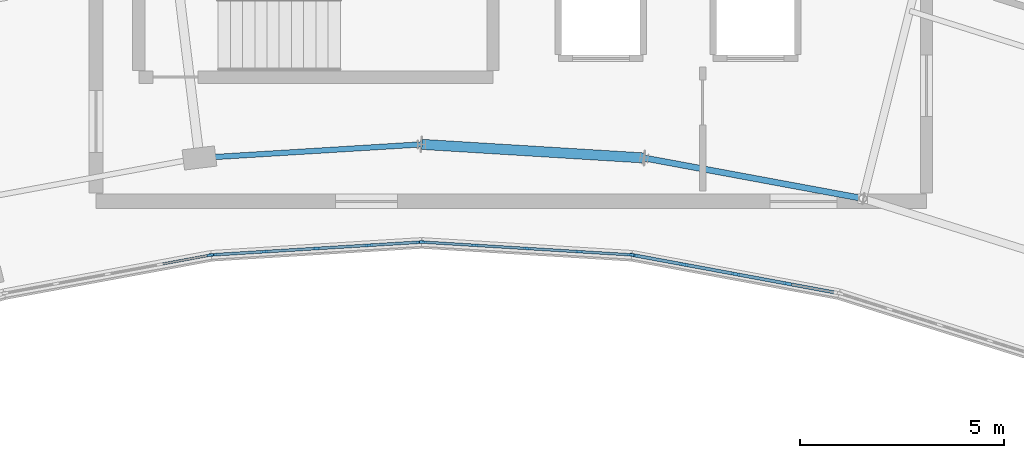
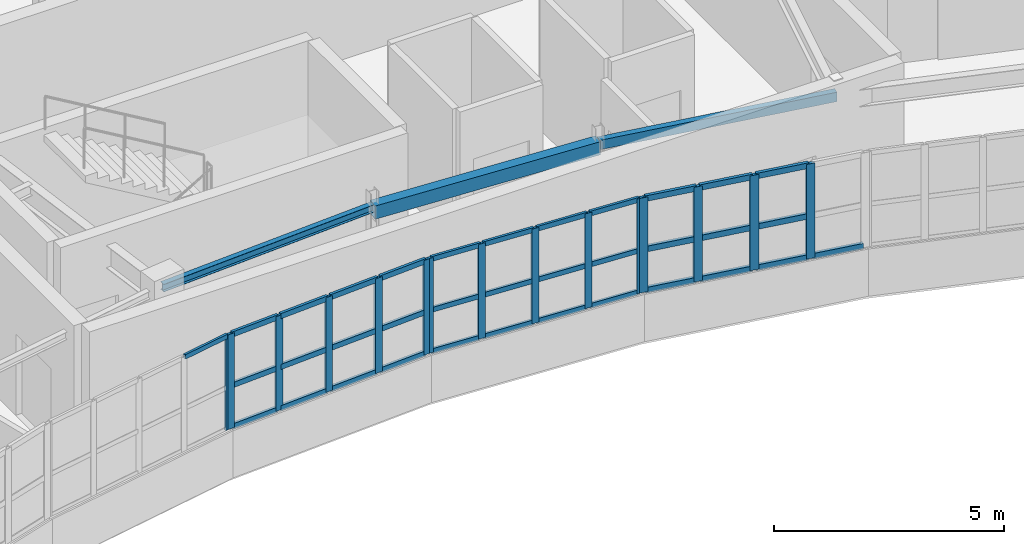
# One storey, part 29 of 65: 50 members, 3 beams, 4 elements without a shape of their own.
"""IFC4 building model written with IfcOpenShell, lengths in metres."""

from ifc_helpers import new_model, si_unit, direction, frame, origin, origin_2d, place, context, subcontext, project, spatial, rectangle, hollow_rectangle, i_section, extrude, material, layer, layer_set, material_profile, profile_set, type_object, element, aggregate, save


model = new_model("IFC4")

# Units and contexts
model_context = context("Model", 3, precision=1e-05, world=origin(), true_north=direction((0.0, 1.0)))
body_context = subcontext(model_context, "Body", "Model", "MODEL_VIEW")
ifc_project = project(units=[si_unit("LENGTHUNIT", "METRE"), si_unit("AREAUNIT", "SQUARE_METRE"), si_unit("VOLUMEUNIT", "CUBIC_METRE"), si_unit("PLANEANGLEUNIT", "RADIAN"), si_unit("MASSUNIT", "GRAM", prefix="KILO")], contexts=[model_context])

# Site, building, storey
site_placement = place(None, origin())
site = spatial("IfcSite", under=ifc_project, at=site_placement, CompositionType="ELEMENT")
building_placement = place(site_placement, origin())
building = spatial("IfcBuilding", under=site, at=building_placement, Name="Tarnwether General Hospital", CompositionType="ELEMENT")
storey_placement = place(building_placement, frame((0.0, 0.0, 22.199951171875)))
storey = spatial("IfcBuildingStorey", under=building, at=storey_placement, Name="L05", CompositionType="ELEMENT", Elevation=22.199951171875)

# Beams
ifc_material_1 = material(Name="Steel Grade 350 (350 MPa)", Category="steel")
ifc_material_profile_1 = material_profile(ifc_material_1, i_section(OverallWidth=0.133056640625, OverallDepth=0.201904296875, WebThickness=0.0048828125, FlangeThickness=0.007080078125, at=origin_2d()), Name="200UB22.3")
ifc_profile_set_1 = profile_set([ifc_material_profile_1], Name="Steel Grade 350 (350 MPa)")
beam_type_1 = type_object("IfcBeamType", Name="BM-SP6", PredefinedType="SPANDREL", material=ifc_profile_set_1)
beam_1_placement = place(storey_placement, frame((86.5400390625, 107.466064453125, 3.458984375), z_axis=(0.998134365538, 0.061055616708, 0.0), x_axis=(-0.061055616708, 0.998134365538, 0.0)))
element("IfcBeam", 1, at=beam_1_placement, inside=storey, type_object=beam_type_1, Name="Curved Ward NW Inner Spandrel BMG-L05-8654_10747-9200_10780-2000", PredefinedType="SPANDREL", context=body_context, shape_type="SweptSolid", body=[
    extrude(i_section(OverallWidth=0.133056640625, OverallDepth=0.201904296875, WebThickness=0.0048828125, FlangeThickness=0.007080078125, at=origin_2d()), origin(), (0.0, 0.0, 1.0), 5.47021484375),
])
ifc_material_2 = material(Name="Steel Grade C350L0 (350 MPa)", Category="steel")
ifc_material_profile_2 = material_profile(ifc_material_2, hollow_rectangle(XDim=0.25, YDim=0.35009765625, WallThickness=0.012451171875, at=origin_2d()), Name="RHS350x250x12.5")
ifc_profile_set_2 = profile_set([ifc_material_profile_2], Name="Steel Grade C350L0 (350 MPa)")
beam_type_2 = type_object("IfcBeamType", Name="BM-SP7", PredefinedType="SPANDREL", material=ifc_profile_set_2)
beam_2_placement = place(storey_placement, frame((92.0, 107.800048828125, 3.385009765625), z_axis=(0.998134365538, -0.061055616708, 0.0), x_axis=(0.061055616708, 0.998134365538, 0.0)))
element("IfcBeam", 2, at=beam_2_placement, inside=storey, type_object=beam_type_2, Name="Curved Ward NW Inner Spandrel BMG-L05-9200_10780-9746_10747-2002", PredefinedType="SPANDREL", context=body_context, shape_type="SweptSolid", body=[
    extrude(hollow_rectangle(XDim=0.25, YDim=0.35009765625, WallThickness=0.012451171875, at=origin_2d()), origin(), (0.0, 0.0, 1.0), 5.47021484375),
])
ifc_material_3 = material(Name="Steel Grade C350L0 (350 MPa)", Category="steel")
ifc_material_profile_3 = material_profile(ifc_material_3, hollow_rectangle(XDim=0.14990234375, YDim=0.25, WallThickness=0.008056640625, at=origin_2d()), Name="RHS250x150x8")
ifc_profile_set_3 = profile_set([ifc_material_profile_3], Name="Steel Grade C350L0 (350 MPa)")
beam_type_3 = type_object("IfcBeamType", Name="BM-SP8", PredefinedType="SPANDREL", material=ifc_profile_set_3)
beam_3_placement = place(storey_placement, frame((97.4599609375, 107.466064453125, 3.43505859375), z_axis=(0.983244096291, -0.18229384825, 0.0), x_axis=(0.18229384825, 0.983244096291, 0.0)))
element("IfcBeam", 3, at=beam_3_placement, inside=storey, type_object=beam_type_3, Name="Curved Ward NW Inner Spandrel BMG-L05-9746_10747-10284_10647-2004", PredefinedType="SPANDREL", context=body_context, shape_type="SweptSolid", body=[
    extrude(hollow_rectangle(XDim=0.14990234375, YDim=0.25, WallThickness=0.008056640625, at=origin_2d()), origin(), (0.0, 0.0, 1.0), 5.469482421875),
])

# Curtain wall, member
ifc_material_4 = material(Name="Anodised aluminium", Category="aluminium")
ifc_layer = layer(ifc_material_4, 0.159912109375)
ifc_layer_set = layer_set([ifc_layer], Name="Anodised aluminium")
curtain_wall_type = type_object("IfcCurtainWallType", Name="CW-03", PredefinedType="NOTDEFINED", material=ifc_layer_set)
curtain_wall_1_placement = place(storey_placement, origin())
curtain_wall_1 = element("IfcCurtainWall", 4, at=curtain_wall_1_placement, inside=storey, type_object=curtain_wall_type, Name="Curtain Wall CWG-L05-868_1051-0073", PredefinedType="NOTDEFINED")
ifc_material_5 = material(Name="Anodised aluminium", Category="aluminium")
ifc_material_profile_4 = material_profile(ifc_material_5, rectangle(XDim=0.06005859375, YDim=0.159912109375, at=origin_2d()), Name="ALU-MUL-60x160")
ifc_profile_set_4 = profile_set([ifc_material_profile_4], Name="Anodised aluminium")
member_type_1 = type_object("IfcMemberType", Name="CW-ML1", PredefinedType="MULLION", material=ifc_profile_set_4)
member_1_placement = place(storey_placement, frame((86.803466796875, 105.07861328125, 1.050048828125), z_axis=(0.0, 0.0, 1.0), x_axis=(0.182165351666, -0.983267910924, 0.0)))
member_1 = element("IfcMember", 5, at=member_1_placement, type_object=member_type_1, Name="CW-03 mullion 1", PredefinedType="MULLION", context=body_context, shape_type="SweptSolid", body=[
    extrude(rectangle(XDim=0.06005859375, YDim=0.159912109375, at=origin_2d()), origin(), (0.0, 0.0, 1.0), 2.510009765625),
])

# Curtain wall, members
curtain_wall_2_placement = place(storey_placement, origin())
curtain_wall_2 = element("IfcCurtainWall", 6, at=curtain_wall_2_placement, inside=storey, type_object=curtain_wall_type, Name="Curtain Wall CWG-L05-920_1054-0074", PredefinedType="NOTDEFINED")
ifc_material_6 = material(Name="Anodised aluminium", Category="aluminium")
ifc_material_profile_5 = material_profile(ifc_material_6, rectangle(XDim=0.070068359375, YDim=0.179931640625, at=origin_2d()), Name="ALU-MUL-70x180")
ifc_profile_set_5 = profile_set([ifc_material_profile_5], Name="Anodised aluminium")
member_type_2 = type_object("IfcMemberType", Name="CW-ML2", PredefinedType="MULLION", material=ifc_profile_set_5)
member_2_placement = place(storey_placement, frame((91.965087890625, 105.39794921875, 1.050048828125), z_axis=(0.0, 0.0, 1.0), x_axis=(0.06104329354, -0.998135119267, 0.0)))
member_2 = element("IfcMember", 7, at=member_2_placement, type_object=member_type_2, Name="CW-03 mullion 1", PredefinedType="MULLION", context=body_context, shape_type="SweptSolid", body=[
    extrude(rectangle(XDim=0.070068359375, YDim=0.179931640625, at=origin_2d()), origin(), (0.0, 0.0, 1.0), 2.510009765625),
])
member_3_placement = place(storey_placement, frame((90.708251953125, 105.321044921875, 1.050048828125), z_axis=(0.0, 0.0, 1.0), x_axis=(0.06104329354, -0.998135119267, 0.0)))
member_3 = element("IfcMember", 8, at=member_3_placement, type_object=member_type_2, Name="CW-03 mullion 2", PredefinedType="MULLION", context=body_context, shape_type="SweptSolid", body=[
    extrude(rectangle(XDim=0.070068359375, YDim=0.179931640625, at=origin_2d()), origin(), (0.0, 0.0, 1.0), 2.510009765625),
])
member_4_placement = place(storey_placement, frame((89.41650390625, 105.241943359375, 1.050048828125), z_axis=(0.0, 0.0, 1.0), x_axis=(0.06104329354, -0.998135119267, 0.0)))
member_4 = element("IfcMember", 9, at=member_4_placement, type_object=member_type_2, Name="CW-03 mullion 3", PredefinedType="MULLION", context=body_context, shape_type="SweptSolid", body=[
    extrude(rectangle(XDim=0.070068359375, YDim=0.179931640625, at=origin_2d()), origin(), (0.0, 0.0, 1.0), 2.510009765625),
])
member_5_placement = place(storey_placement, frame((88.124755859375, 105.1630859375, 1.050048828125), z_axis=(0.0, 0.0, 1.0), x_axis=(0.06104329354, -0.998135119267, 0.0)))
member_5 = element("IfcMember", 10, at=member_5_placement, type_object=member_type_2, Name="CW-03 mullion 4", PredefinedType="MULLION", context=body_context, shape_type="SweptSolid", body=[
    extrude(rectangle(XDim=0.070068359375, YDim=0.179931640625, at=origin_2d()), origin(), (0.0, 0.0, 1.0), 2.510009765625),
])
member_6_placement = place(storey_placement, frame((86.867919921875, 105.086181640625, 1.050048828125), z_axis=(0.0, 0.0, 1.0), x_axis=(0.06104329354, -0.998135119267, 0.0)))
member_6 = element("IfcMember", 11, at=member_6_placement, type_object=member_type_2, Name="CW-03 mullion 5", PredefinedType="MULLION", context=body_context, shape_type="SweptSolid", body=[
    extrude(rectangle(XDim=0.070068359375, YDim=0.179931640625, at=origin_2d()), origin(), (0.0, 0.0, 1.0), 2.510009765625),
])

curtain_wall_3_placement = place(storey_placement, origin())
curtain_wall_3 = element("IfcCurtainWall", 12, at=curtain_wall_3_placement, inside=storey, type_object=curtain_wall_type, Name="Curtain Wall CWG-L05-972_1051-0075", PredefinedType="NOTDEFINED")
ifc_material_7 = material(Name="Anodised aluminium", Category="aluminium")
ifc_material_profile_6 = material_profile(ifc_material_7, rectangle(XDim=0.06494140625, YDim=0.169921875, at=origin_2d()), Name="ALU-MUL-65x170")
ifc_profile_set_6 = profile_set([ifc_material_profile_6], Name="Anodised aluminium")
member_type_3 = type_object("IfcMemberType", Name="CW-ML3", PredefinedType="MULLION", material=ifc_profile_set_6)
member_7_placement = place(storey_placement, frame((97.134521484375, 105.0859375, 1.050048828125), z_axis=(0.0, 0.0, 1.0), x_axis=(-0.06104329354, -0.998135119267, 0.0)))
member_7 = element("IfcMember", 13, at=member_7_placement, type_object=member_type_3, Name="CW-03 mullion 1", PredefinedType="MULLION", context=body_context, shape_type="SweptSolid", body=[
    extrude(rectangle(XDim=0.06494140625, YDim=0.169921875, at=origin_2d()), origin(), (0.0, 0.0, 1.0), 2.510009765625),
])
member_8_placement = place(storey_placement, frame((95.875244140625, 105.1630859375, 1.050048828125), z_axis=(0.0, 0.0, 1.0), x_axis=(-0.06104329354, -0.998135119267, 0.0)))
member_8 = element("IfcMember", 14, at=member_8_placement, type_object=member_type_3, Name="CW-03 mullion 2", PredefinedType="MULLION", context=body_context, shape_type="SweptSolid", body=[
    extrude(rectangle(XDim=0.06494140625, YDim=0.169921875, at=origin_2d()), origin(), (0.0, 0.0, 1.0), 2.510009765625),
])
member_9_placement = place(storey_placement, frame((94.58349609375, 105.241943359375, 1.050048828125), z_axis=(0.0, 0.0, 1.0), x_axis=(-0.06104329354, -0.998135119267, 0.0)))
member_9 = element("IfcMember", 15, at=member_9_placement, type_object=member_type_3, Name="CW-03 mullion 3", PredefinedType="MULLION", context=body_context, shape_type="SweptSolid", body=[
    extrude(rectangle(XDim=0.06494140625, YDim=0.169921875, at=origin_2d()), origin(), (0.0, 0.0, 1.0), 2.510009765625),
])
member_10_placement = place(storey_placement, frame((93.291748046875, 105.321044921875, 1.050048828125), z_axis=(0.0, 0.0, 1.0), x_axis=(-0.06104329354, -0.998135119267, 0.0)))
member_10 = element("IfcMember", 16, at=member_10_placement, type_object=member_type_3, Name="CW-03 mullion 4", PredefinedType="MULLION", context=body_context, shape_type="SweptSolid", body=[
    extrude(rectangle(XDim=0.06494140625, YDim=0.169921875, at=origin_2d()), origin(), (0.0, 0.0, 1.0), 2.510009765625),
])
member_11_placement = place(storey_placement, frame((92.032470703125, 105.39794921875, 1.050048828125), z_axis=(0.0, 0.0, 1.0), x_axis=(-0.06104329354, -0.998135119267, 0.0)))
member_11 = element("IfcMember", 17, at=member_11_placement, type_object=member_type_3, Name="CW-03 mullion 5", PredefinedType="MULLION", context=body_context, shape_type="SweptSolid", body=[
    extrude(rectangle(XDim=0.06494140625, YDim=0.169921875, at=origin_2d()), origin(), (0.0, 0.0, 1.0), 2.510009765625),
])

curtain_wall_4_placement = place(storey_placement, origin())
curtain_wall_4 = element("IfcCurtainWall", 18, at=curtain_wall_4_placement, inside=storey, type_object=curtain_wall_type, Name="Curtain Wall CWG-L05-1023_1041-0076", PredefinedType="NOTDEFINED")
ifc_material_8 = material(Name="Anodised aluminium", Category="aluminium")
ifc_material_profile_7 = material_profile(ifc_material_8, rectangle(XDim=0.080078125, YDim=0.199951171875, at=origin_2d()), Name="ALU-MUL-80x200")
ifc_profile_set_7 = profile_set([ifc_material_profile_7], Name="Anodised aluminium")
member_type_4 = type_object("IfcMemberType", Name="CW-ML4", PredefinedType="MULLION", material=ifc_profile_set_7)
member_12_placement = place(storey_placement, frame((100.984619140625, 104.376708984375, 1.050048828125), z_axis=(0.0, 0.0, 1.0), x_axis=(-0.182165351666, -0.983267910924, 0.0)))
member_12 = element("IfcMember", 19, at=member_12_placement, type_object=member_type_4, Name="CW-03 mullion 2", PredefinedType="MULLION", context=body_context, shape_type="SweptSolid", body=[
    extrude(rectangle(XDim=0.080078125, YDim=0.199951171875, at=origin_2d()), origin(), (0.0, 0.0, 1.0), 2.510009765625),
])
member_13_placement = place(storey_placement, frame((99.7119140625, 104.612548828125, 1.050048828125), z_axis=(0.0, 0.0, 1.0), x_axis=(-0.182165351666, -0.983267910924, 0.0)))
member_13 = element("IfcMember", 20, at=member_13_placement, type_object=member_type_4, Name="CW-03 mullion 3", PredefinedType="MULLION", context=body_context, shape_type="SweptSolid", body=[
    extrude(rectangle(XDim=0.080078125, YDim=0.199951171875, at=origin_2d()), origin(), (0.0, 0.0, 1.0), 2.510009765625),
])
member_14_placement = place(storey_placement, frame((98.439453125, 104.84814453125, 1.050048828125), z_axis=(0.0, 0.0, 1.0), x_axis=(-0.182165351666, -0.983267910924, 0.0)))
member_14 = element("IfcMember", 21, at=member_14_placement, type_object=member_type_4, Name="CW-03 mullion 4", PredefinedType="MULLION", context=body_context, shape_type="SweptSolid", body=[
    extrude(rectangle(XDim=0.080078125, YDim=0.199951171875, at=origin_2d()), origin(), (0.0, 0.0, 1.0), 2.510009765625),
])
member_15_placement = place(storey_placement, frame((97.206298828125, 105.07666015625, 1.050048828125), z_axis=(0.0, 0.0, 1.0), x_axis=(-0.182165351666, -0.983267910924, 0.0)))
member_15 = element("IfcMember", 22, at=member_15_placement, type_object=member_type_4, Name="CW-03 mullion 5", PredefinedType="MULLION", context=body_context, shape_type="SweptSolid", body=[
    extrude(rectangle(XDim=0.080078125, YDim=0.199951171875, at=origin_2d()), origin(), (0.0, 0.0, 1.0), 2.510009765625),
])

# Member
ifc_material_9 = material(Name="Anodised aluminium", Category="aluminium")
ifc_material_profile_8 = material_profile(ifc_material_9, rectangle(XDim=0.06005859375, YDim=0.1201171875, at=origin_2d()), Name="ALU-TRN-60x120")
ifc_profile_set_8 = profile_set([ifc_material_profile_8], Name="Anodised aluminium")
member_type_5 = type_object("IfcMemberType", Name="CW-TR1", PredefinedType="USERDEFINED", material=ifc_profile_set_8)
member_16_placement = place(storey_placement, frame((86.77392578125, 105.072998046875, 3.530029296875), z_axis=(-0.983280660262, -0.182096521533, 0.0), x_axis=(0.182096521533, -0.983280660262, 0.0)))
member_16 = element("IfcMember", 23, at=member_16_placement, type_object=member_type_5, Name="CW-03 transom 1.3", ObjectType="TRANSOM", PredefinedType="USERDEFINED", context=body_context, shape_type="SweptSolid", body=[
    extrude(rectangle(XDim=0.06005859375, YDim=0.1201171875, at=origin_2d()), origin(), (0.0, 0.0, 1.0), 1.203857421875),
])

aggregate(curtain_wall_1, [member_1, member_16])

ifc_material_10 = material(Name="Anodised aluminium", Category="aluminium")
ifc_material_profile_9 = material_profile(ifc_material_10, rectangle(XDim=0.070068359375, YDim=0.139892578125, at=origin_2d()), Name="ALU-TRN-70x140")
ifc_profile_set_9 = profile_set([ifc_material_profile_9], Name="Anodised aluminium")
member_type_6 = type_object("IfcMemberType", Name="CW-TR2", PredefinedType="USERDEFINED", material=ifc_profile_set_9)
member_17_placement = place(storey_placement, frame((91.93017578125, 105.395751953125, 1.0849609375), z_axis=(-0.9981394573, -0.06097231979, 0.0), x_axis=(0.06097231979, -0.9981394573, 0.0)))
member_17 = element("IfcMember", 24, at=member_17_placement, type_object=member_type_6, Name="CW-03 transom 1.1", ObjectType="TRANSOM", PredefinedType="USERDEFINED", context=body_context, shape_type="SweptSolid", body=[
    extrude(rectangle(XDim=0.070068359375, YDim=0.139892578125, at=origin_2d()), origin(), (0.0, 0.0, 1.0), 1.189208984375),
])

member_18_placement = place(storey_placement, frame((91.93017578125, 105.395751953125, 2.179443359375), z_axis=(-0.9981394573, -0.06097231979, 0.0), x_axis=(0.06097231979, -0.9981394573, 0.0)))
member_18 = element("IfcMember", 25, at=member_18_placement, type_object=member_type_6, Name="CW-03 transom 1.2", ObjectType="TRANSOM", PredefinedType="USERDEFINED", context=body_context, shape_type="SweptSolid", body=[
    extrude(rectangle(XDim=0.070068359375, YDim=0.139892578125, at=origin_2d()), origin(), (0.0, 0.0, 1.0), 1.189208984375),
])

member_19_placement = place(storey_placement, frame((91.93017578125, 105.395751953125, 3.525146484375), z_axis=(-0.9981394573, -0.06097231979, 0.0), x_axis=(0.06097231979, -0.9981394573, 0.0)))
member_19 = element("IfcMember", 26, at=member_19_placement, type_object=member_type_6, Name="CW-03 transom 1.3", ObjectType="TRANSOM", PredefinedType="USERDEFINED", context=body_context, shape_type="SweptSolid", body=[
    extrude(rectangle(XDim=0.070068359375, YDim=0.139892578125, at=origin_2d()), origin(), (0.0, 0.0, 1.0), 1.189208984375),
])

member_20_placement = place(storey_placement, frame((90.67333984375, 105.31884765625, 1.0849609375), z_axis=(-0.998136243192, -0.06102491317, 0.0), x_axis=(0.06102491317, -0.998136243192, 0.0)))
member_20 = element("IfcMember", 27, at=member_20_placement, type_object=member_type_6, Name="CW-03 transom 2.1", ObjectType="TRANSOM", PredefinedType="USERDEFINED", context=body_context, shape_type="SweptSolid", body=[
    extrude(rectangle(XDim=0.070068359375, YDim=0.139892578125, at=origin_2d()), origin(), (0.0, 0.0, 1.0), 1.22412109375),
])

member_21_placement = place(storey_placement, frame((90.67333984375, 105.31884765625, 2.179443359375), z_axis=(-0.998136243192, -0.06102491317, 0.0), x_axis=(0.06102491317, -0.998136243192, 0.0)))
member_21 = element("IfcMember", 28, at=member_21_placement, type_object=member_type_6, Name="CW-03 transom 2.2", ObjectType="TRANSOM", PredefinedType="USERDEFINED", context=body_context, shape_type="SweptSolid", body=[
    extrude(rectangle(XDim=0.070068359375, YDim=0.139892578125, at=origin_2d()), origin(), (0.0, 0.0, 1.0), 1.22412109375),
])

member_22_placement = place(storey_placement, frame((90.67333984375, 105.31884765625, 3.525146484375), z_axis=(-0.998136243192, -0.06102491317, 0.0), x_axis=(0.06102491317, -0.998136243192, 0.0)))
member_22 = element("IfcMember", 29, at=member_22_placement, type_object=member_type_6, Name="CW-03 transom 2.3", ObjectType="TRANSOM", PredefinedType="USERDEFINED", context=body_context, shape_type="SweptSolid", body=[
    extrude(rectangle(XDim=0.070068359375, YDim=0.139892578125, at=origin_2d()), origin(), (0.0, 0.0, 1.0), 1.22412109375),
])

member_23_placement = place(storey_placement, frame((89.381591796875, 105.23974609375, 1.0849609375), z_axis=(-0.998136243192, -0.06102491317, 0.0), x_axis=(0.06102491317, -0.998136243192, 0.0)))
member_23 = element("IfcMember", 30, at=member_23_placement, type_object=member_type_6, Name="CW-03 transom 3.1", ObjectType="TRANSOM", PredefinedType="USERDEFINED", context=body_context, shape_type="SweptSolid", body=[
    extrude(rectangle(XDim=0.070068359375, YDim=0.139892578125, at=origin_2d()), origin(), (0.0, 0.0, 1.0), 1.22412109375),
])

member_24_placement = place(storey_placement, frame((89.381591796875, 105.23974609375, 2.179443359375), z_axis=(-0.998136243192, -0.06102491317, 0.0), x_axis=(0.06102491317, -0.998136243192, 0.0)))
member_24 = element("IfcMember", 31, at=member_24_placement, type_object=member_type_6, Name="CW-03 transom 3.2", ObjectType="TRANSOM", PredefinedType="USERDEFINED", context=body_context, shape_type="SweptSolid", body=[
    extrude(rectangle(XDim=0.070068359375, YDim=0.139892578125, at=origin_2d()), origin(), (0.0, 0.0, 1.0), 1.22412109375),
])

member_25_placement = place(storey_placement, frame((89.381591796875, 105.23974609375, 3.525146484375), z_axis=(-0.998136243192, -0.06102491317, 0.0), x_axis=(0.06102491317, -0.998136243192, 0.0)))
member_25 = element("IfcMember", 32, at=member_25_placement, type_object=member_type_6, Name="CW-03 transom 3.3", ObjectType="TRANSOM", PredefinedType="USERDEFINED", context=body_context, shape_type="SweptSolid", body=[
    extrude(rectangle(XDim=0.070068359375, YDim=0.139892578125, at=origin_2d()), origin(), (0.0, 0.0, 1.0), 1.22412109375),
])

member_26_placement = place(storey_placement, frame((88.08984375, 105.160888671875, 1.0849609375), z_axis=(-0.9981394573, -0.06097231979, 0.0), x_axis=(0.06097231979, -0.9981394573, 0.0)))
member_26 = element("IfcMember", 33, at=member_26_placement, type_object=member_type_6, Name="CW-03 transom 4.1", ObjectType="TRANSOM", PredefinedType="USERDEFINED", context=body_context, shape_type="SweptSolid", body=[
    extrude(rectangle(XDim=0.070068359375, YDim=0.139892578125, at=origin_2d()), origin(), (0.0, 0.0, 1.0), 1.189208984375),
])

member_27_placement = place(storey_placement, frame((88.08984375, 105.160888671875, 2.179443359375), z_axis=(-0.9981394573, -0.06097231979, 0.0), x_axis=(0.06097231979, -0.9981394573, 0.0)))
member_27 = element("IfcMember", 34, at=member_27_placement, type_object=member_type_6, Name="CW-03 transom 4.2", ObjectType="TRANSOM", PredefinedType="USERDEFINED", context=body_context, shape_type="SweptSolid", body=[
    extrude(rectangle(XDim=0.070068359375, YDim=0.139892578125, at=origin_2d()), origin(), (0.0, 0.0, 1.0), 1.189208984375),
])

member_28_placement = place(storey_placement, frame((88.08984375, 105.160888671875, 3.525146484375), z_axis=(-0.9981394573, -0.06097231979, 0.0), x_axis=(0.06097231979, -0.9981394573, 0.0)))
member_28 = element("IfcMember", 35, at=member_28_placement, type_object=member_type_6, Name="CW-03 transom 4.3", ObjectType="TRANSOM", PredefinedType="USERDEFINED", context=body_context, shape_type="SweptSolid", body=[
    extrude(rectangle(XDim=0.070068359375, YDim=0.139892578125, at=origin_2d()), origin(), (0.0, 0.0, 1.0), 1.189208984375),
])

aggregate(curtain_wall_2, [member_2, member_3, member_4, member_5, member_6, member_17, member_18, member_19, member_20, member_21, member_22, member_23, member_24, member_25, member_26, member_27, member_28])

ifc_material_11 = material(Name="Anodised aluminium", Category="aluminium")
ifc_material_profile_10 = material_profile(ifc_material_11, rectangle(XDim=0.06494140625, YDim=0.1298828125, at=origin_2d()), Name="ALU-TRN-65x130")
ifc_profile_set_10 = profile_set([ifc_material_profile_10], Name="Anodised aluminium")
member_type_7 = type_object("IfcMemberType", Name="CW-TR3", PredefinedType="USERDEFINED", material=ifc_profile_set_10)
member_29_placement = place(storey_placement, frame((97.10205078125, 105.087890625, 1.08251953125), z_axis=(-0.998124933036, 0.061209623857, 0.0), x_axis=(-0.061209623857, -0.998124933036, 0.0)))
member_29 = element("IfcMember", 36, at=member_29_placement, type_object=member_type_7, Name="CW-03 transom 1.1", ObjectType="TRANSOM", PredefinedType="USERDEFINED", context=body_context, shape_type="SweptSolid", body=[
    extrude(rectangle(XDim=0.06494140625, YDim=0.1298828125, at=origin_2d()), origin(), (0.0, 0.0, 1.0), 1.196533203125),
])

member_30_placement = place(storey_placement, frame((97.10205078125, 105.087890625, 2.179443359375), z_axis=(-0.998124933036, 0.061209623857, 0.0), x_axis=(-0.061209623857, -0.998124933036, 0.0)))
member_30 = element("IfcMember", 37, at=member_30_placement, type_object=member_type_7, Name="CW-03 transom 1.2", ObjectType="TRANSOM", PredefinedType="USERDEFINED", context=body_context, shape_type="SweptSolid", body=[
    extrude(rectangle(XDim=0.06494140625, YDim=0.1298828125, at=origin_2d()), origin(), (0.0, 0.0, 1.0), 1.196533203125),
])

member_31_placement = place(storey_placement, frame((97.10205078125, 105.087890625, 3.527587890625), z_axis=(-0.998124933036, 0.061209623857, 0.0), x_axis=(-0.061209623857, -0.998124933036, 0.0)))
member_31 = element("IfcMember", 38, at=member_31_placement, type_object=member_type_7, Name="CW-03 transom 1.3", ObjectType="TRANSOM", PredefinedType="USERDEFINED", context=body_context, shape_type="SweptSolid", body=[
    extrude(rectangle(XDim=0.06494140625, YDim=0.1298828125, at=origin_2d()), origin(), (0.0, 0.0, 1.0), 1.196533203125),
])

member_32_placement = place(storey_placement, frame((95.8427734375, 105.1650390625, 1.08251953125), z_axis=(-0.998138937615, 0.060980826636, 0.0), x_axis=(-0.060980826636, -0.998138937615, 0.0)))
member_32 = element("IfcMember", 39, at=member_32_placement, type_object=member_type_7, Name="CW-03 transom 2.1", ObjectType="TRANSOM", PredefinedType="USERDEFINED", context=body_context, shape_type="SweptSolid", body=[
    extrude(rectangle(XDim=0.06494140625, YDim=0.1298828125, at=origin_2d()), origin(), (0.0, 0.0, 1.0), 1.22900390625),
])

member_33_placement = place(storey_placement, frame((95.8427734375, 105.1650390625, 2.179443359375), z_axis=(-0.998138937615, 0.060980826636, 0.0), x_axis=(-0.060980826636, -0.998138937615, 0.0)))
member_33 = element("IfcMember", 40, at=member_33_placement, type_object=member_type_7, Name="CW-03 transom 2.2", ObjectType="TRANSOM", PredefinedType="USERDEFINED", context=body_context, shape_type="SweptSolid", body=[
    extrude(rectangle(XDim=0.06494140625, YDim=0.1298828125, at=origin_2d()), origin(), (0.0, 0.0, 1.0), 1.22900390625),
])

member_34_placement = place(storey_placement, frame((95.8427734375, 105.1650390625, 3.527587890625), z_axis=(-0.998138937615, 0.060980826636, 0.0), x_axis=(-0.060980826636, -0.998138937615, 0.0)))
member_34 = element("IfcMember", 41, at=member_34_placement, type_object=member_type_7, Name="CW-03 transom 2.3", ObjectType="TRANSOM", PredefinedType="USERDEFINED", context=body_context, shape_type="SweptSolid", body=[
    extrude(rectangle(XDim=0.06494140625, YDim=0.1298828125, at=origin_2d()), origin(), (0.0, 0.0, 1.0), 1.22900390625),
])

member_35_placement = place(storey_placement, frame((94.551025390625, 105.243896484375, 1.08251953125), z_axis=(-0.998126827784, 0.061178718997, 0.0), x_axis=(-0.061178718997, -0.998126827784, 0.0)))
member_35 = element("IfcMember", 42, at=member_35_placement, type_object=member_type_7, Name="CW-03 transom 3.1", ObjectType="TRANSOM", PredefinedType="USERDEFINED", context=body_context, shape_type="SweptSolid", body=[
    extrude(rectangle(XDim=0.06494140625, YDim=0.1298828125, at=origin_2d()), origin(), (0.0, 0.0, 1.0), 1.22900390625),
])

member_36_placement = place(storey_placement, frame((94.551025390625, 105.243896484375, 2.179443359375), z_axis=(-0.998126827784, 0.061178718997, 0.0), x_axis=(-0.061178718997, -0.998126827784, 0.0)))
member_36 = element("IfcMember", 43, at=member_36_placement, type_object=member_type_7, Name="CW-03 transom 3.2", ObjectType="TRANSOM", PredefinedType="USERDEFINED", context=body_context, shape_type="SweptSolid", body=[
    extrude(rectangle(XDim=0.06494140625, YDim=0.1298828125, at=origin_2d()), origin(), (0.0, 0.0, 1.0), 1.22900390625),
])

member_37_placement = place(storey_placement, frame((94.551025390625, 105.243896484375, 3.527587890625), z_axis=(-0.998126827784, 0.061178718997, 0.0), x_axis=(-0.061178718997, -0.998126827784, 0.0)))
member_37 = element("IfcMember", 44, at=member_37_placement, type_object=member_type_7, Name="CW-03 transom 3.3", ObjectType="TRANSOM", PredefinedType="USERDEFINED", context=body_context, shape_type="SweptSolid", body=[
    extrude(rectangle(XDim=0.06494140625, YDim=0.1298828125, at=origin_2d()), origin(), (0.0, 0.0, 1.0), 1.22900390625),
])

member_38_placement = place(storey_placement, frame((93.25927734375, 105.322998046875, 1.08251953125), z_axis=(-0.998137377802, 0.061006352405, 0.0), x_axis=(-0.061006352405, -0.998137377802, 0.0)))
member_38 = element("IfcMember", 45, at=member_38_placement, type_object=member_type_7, Name="CW-03 transom 4.1", ObjectType="TRANSOM", PredefinedType="USERDEFINED", context=body_context, shape_type="SweptSolid", body=[
    extrude(rectangle(XDim=0.06494140625, YDim=0.1298828125, at=origin_2d()), origin(), (0.0, 0.0, 1.0), 1.196533203125),
])

member_39_placement = place(storey_placement, frame((93.25927734375, 105.322998046875, 2.179443359375), z_axis=(-0.998137377802, 0.061006352405, 0.0), x_axis=(-0.061006352405, -0.998137377802, 0.0)))
member_39 = element("IfcMember", 46, at=member_39_placement, type_object=member_type_7, Name="CW-03 transom 4.2", ObjectType="TRANSOM", PredefinedType="USERDEFINED", context=body_context, shape_type="SweptSolid", body=[
    extrude(rectangle(XDim=0.06494140625, YDim=0.1298828125, at=origin_2d()), origin(), (0.0, 0.0, 1.0), 1.196533203125),
])

member_40_placement = place(storey_placement, frame((93.25927734375, 105.322998046875, 3.527587890625), z_axis=(-0.998137377802, 0.061006352405, 0.0), x_axis=(-0.061006352405, -0.998137377802, 0.0)))
member_40 = element("IfcMember", 47, at=member_40_placement, type_object=member_type_7, Name="CW-03 transom 4.3", ObjectType="TRANSOM", PredefinedType="USERDEFINED", context=body_context, shape_type="SweptSolid", body=[
    extrude(rectangle(XDim=0.06494140625, YDim=0.1298828125, at=origin_2d()), origin(), (0.0, 0.0, 1.0), 1.196533203125),
])

aggregate(curtain_wall_3, [member_7, member_8, member_9, member_10, member_11, member_29, member_30, member_31, member_32, member_33, member_34, member_35, member_36, member_37, member_38, member_39, member_40])

ifc_material_12 = material(Name="Anodised aluminium", Category="aluminium")
ifc_material_profile_11 = material_profile(ifc_material_12, rectangle(XDim=0.080078125, YDim=0.14990234375, at=origin_2d()), Name="ALU-TRN-80x150")
ifc_profile_set_11 = profile_set([ifc_material_profile_11], Name="Anodised aluminium")
member_type_8 = type_object("IfcMemberType", Name="CW-TR4", PredefinedType="USERDEFINED", material=ifc_profile_set_11)
member_41_placement = place(storey_placement, frame((102.17822265625, 104.155517578125, 1.090087890625), z_axis=(-0.983265451868, 0.182178624331, 0.0), x_axis=(-0.182178624331, -0.983265451868, 0.0)))
member_41 = element("IfcMember", 48, at=member_41_placement, type_object=member_type_8, Name="CW-03 transom 1.1", ObjectType="TRANSOM", PredefinedType="USERDEFINED", context=body_context, shape_type="SweptSolid", body=[
    extrude(rectangle(XDim=0.080078125, YDim=0.14990234375, at=origin_2d()), origin(), (0.0, 0.0, 1.0), 1.173828125),
])

member_42_placement = place(storey_placement, frame((100.945068359375, 104.384033203125, 1.090087890625), z_axis=(-0.983266000374, 0.182175663873, 0.0), x_axis=(-0.182175663873, -0.983266000374, 0.0)))
member_42 = element("IfcMember", 49, at=member_42_placement, type_object=member_type_8, Name="CW-03 transom 2.1", ObjectType="TRANSOM", PredefinedType="USERDEFINED", context=body_context, shape_type="SweptSolid", body=[
    extrude(rectangle(XDim=0.080078125, YDim=0.14990234375, at=origin_2d()), origin(), (0.0, 0.0, 1.0), 1.214111328125),
])

member_43_placement = place(storey_placement, frame((100.945068359375, 104.384033203125, 2.179443359375), z_axis=(-0.983266000374, 0.182175663873, 0.0), x_axis=(-0.182175663873, -0.983266000374, 0.0)))
member_43 = element("IfcMember", 50, at=member_43_placement, type_object=member_type_8, Name="CW-03 transom 2.2", ObjectType="TRANSOM", PredefinedType="USERDEFINED", context=body_context, shape_type="SweptSolid", body=[
    extrude(rectangle(XDim=0.080078125, YDim=0.14990234375, at=origin_2d()), origin(), (0.0, 0.0, 1.0), 1.214111328125),
])

member_44_placement = place(storey_placement, frame((100.945068359375, 104.384033203125, 3.52001953125), z_axis=(-0.983266000374, 0.182175663873, 0.0), x_axis=(-0.182175663873, -0.983266000374, 0.0)))
member_44 = element("IfcMember", 51, at=member_44_placement, type_object=member_type_8, Name="CW-03 transom 2.3", ObjectType="TRANSOM", PredefinedType="USERDEFINED", context=body_context, shape_type="SweptSolid", body=[
    extrude(rectangle(XDim=0.080078125, YDim=0.14990234375, at=origin_2d()), origin(), (0.0, 0.0, 1.0), 1.214111328125),
])

member_45_placement = place(storey_placement, frame((99.672607421875, 104.619873046875, 1.090087890625), z_axis=(-0.983266000374, 0.182175663873, 0.0), x_axis=(-0.182175663873, -0.983266000374, 0.0)))
member_45 = element("IfcMember", 52, at=member_45_placement, type_object=member_type_8, Name="CW-03 transom 3.1", ObjectType="TRANSOM", PredefinedType="USERDEFINED", context=body_context, shape_type="SweptSolid", body=[
    extrude(rectangle(XDim=0.080078125, YDim=0.14990234375, at=origin_2d()), origin(), (0.0, 0.0, 1.0), 1.214111328125),
])

member_46_placement = place(storey_placement, frame((99.672607421875, 104.619873046875, 2.179443359375), z_axis=(-0.983266000374, 0.182175663873, 0.0), x_axis=(-0.182175663873, -0.983266000374, 0.0)))
member_46 = element("IfcMember", 53, at=member_46_placement, type_object=member_type_8, Name="CW-03 transom 3.2", ObjectType="TRANSOM", PredefinedType="USERDEFINED", context=body_context, shape_type="SweptSolid", body=[
    extrude(rectangle(XDim=0.080078125, YDim=0.14990234375, at=origin_2d()), origin(), (0.0, 0.0, 1.0), 1.214111328125),
])

member_47_placement = place(storey_placement, frame((99.672607421875, 104.619873046875, 3.52001953125), z_axis=(-0.983266000374, 0.182175663873, 0.0), x_axis=(-0.182175663873, -0.983266000374, 0.0)))
member_47 = element("IfcMember", 54, at=member_47_placement, type_object=member_type_8, Name="CW-03 transom 3.3", ObjectType="TRANSOM", PredefinedType="USERDEFINED", context=body_context, shape_type="SweptSolid", body=[
    extrude(rectangle(XDim=0.080078125, YDim=0.14990234375, at=origin_2d()), origin(), (0.0, 0.0, 1.0), 1.214111328125),
])

member_48_placement = place(storey_placement, frame((98.400146484375, 104.85546875, 1.090087890625), z_axis=(-0.983272351961, 0.182141378794, 0.0), x_axis=(-0.182141378794, -0.983272351961, 0.0)))
member_48 = element("IfcMember", 55, at=member_48_placement, type_object=member_type_8, Name="CW-03 transom 4.1", ObjectType="TRANSOM", PredefinedType="USERDEFINED", context=body_context, shape_type="SweptSolid", body=[
    extrude(rectangle(XDim=0.080078125, YDim=0.14990234375, at=origin_2d()), origin(), (0.0, 0.0, 1.0), 1.174072265625),
])

member_49_placement = place(storey_placement, frame((98.400146484375, 104.85546875, 2.179443359375), z_axis=(-0.983272351961, 0.182141378794, 0.0), x_axis=(-0.182141378794, -0.983272351961, 0.0)))
member_49 = element("IfcMember", 56, at=member_49_placement, type_object=member_type_8, Name="CW-03 transom 4.2", ObjectType="TRANSOM", PredefinedType="USERDEFINED", context=body_context, shape_type="SweptSolid", body=[
    extrude(rectangle(XDim=0.080078125, YDim=0.14990234375, at=origin_2d()), origin(), (0.0, 0.0, 1.0), 1.174072265625),
])

member_50_placement = place(storey_placement, frame((98.400146484375, 104.85546875, 3.52001953125), z_axis=(-0.983272351961, 0.182141378794, 0.0), x_axis=(-0.182141378794, -0.983272351961, 0.0)))
member_50 = element("IfcMember", 57, at=member_50_placement, type_object=member_type_8, Name="CW-03 transom 4.3", ObjectType="TRANSOM", PredefinedType="USERDEFINED", context=body_context, shape_type="SweptSolid", body=[
    extrude(rectangle(XDim=0.080078125, YDim=0.14990234375, at=origin_2d()), origin(), (0.0, 0.0, 1.0), 1.174072265625),
])

aggregate(curtain_wall_4, [member_12, member_13, member_14, member_15, member_41, member_42, member_43, member_44, member_45, member_46, member_47, member_48, member_49, member_50])

save(model, "model.ifc")
